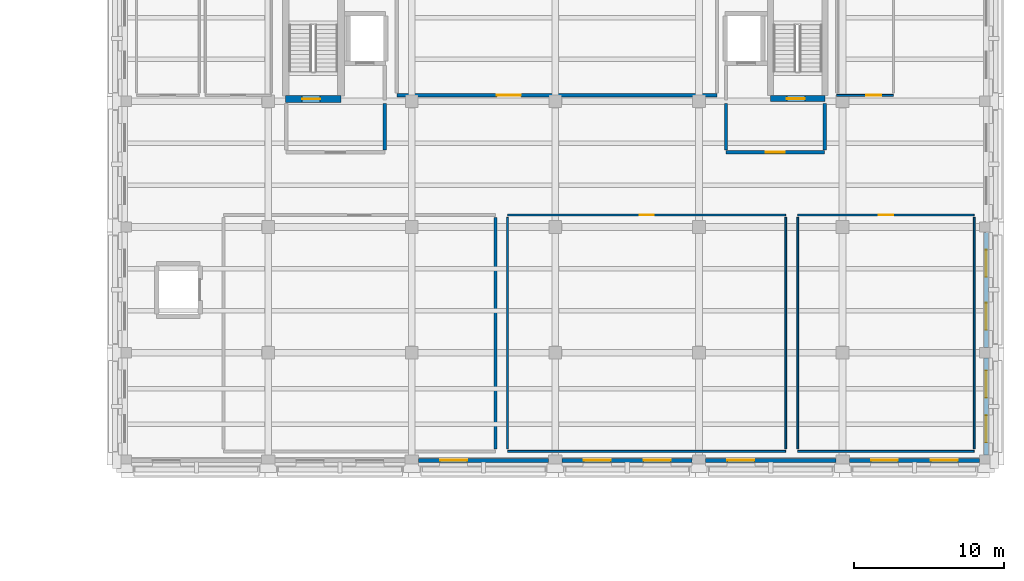
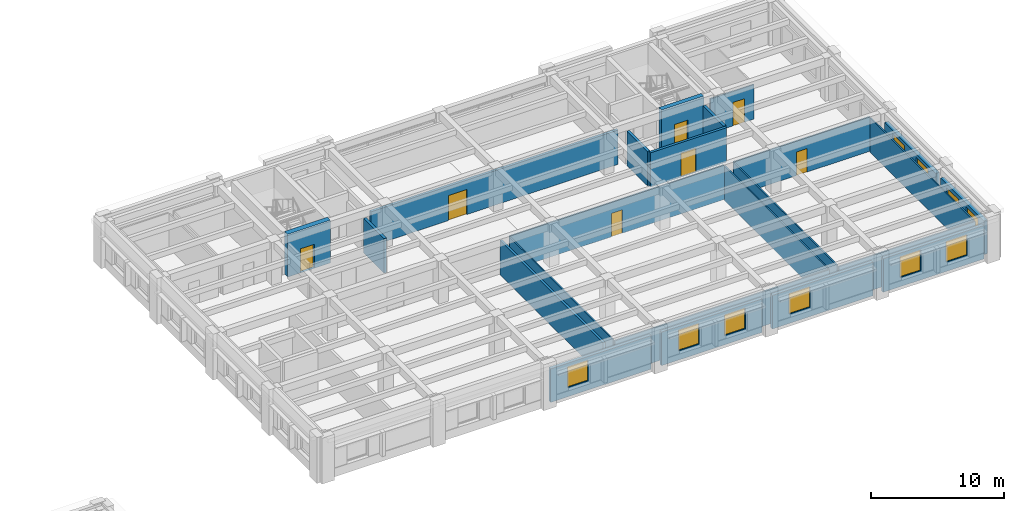
# One storey, part 9 of 17: 23 walls, 10 windows, 7 doors, 17 openings.
"""IFC4 building model written with IfcOpenShell, lengths in metres."""

from ifc_helpers import new_model, si_unit, direction, frame, frame_2d, origin, place, context, subcontext, project, spatial, rectangle, extrude, material, layer, layer_set, type_object, element, fill, save


model = new_model("IFC4")

# Units and contexts
model_context = context("Model", 3, precision=1e-05, world=origin(), true_north=direction((0.0, 1.0)))
body_context = subcontext(model_context, "Body", "Model", "MODEL_VIEW")
ifc_project = project(units=[si_unit("LENGTHUNIT", "METRE"), si_unit("AREAUNIT", "SQUARE_METRE"), si_unit("VOLUMEUNIT", "CUBIC_METRE"), si_unit("PLANEANGLEUNIT", "RADIAN"), si_unit("MASSUNIT", "GRAM", prefix="KILO")], contexts=[model_context])

# Site, building, storey
site_placement = place(None, origin())
site = spatial("IfcSite", under=ifc_project, at=site_placement, CompositionType="ELEMENT")
building_placement = place(site_placement, origin())
building = spatial("IfcBuilding", under=site, at=building_placement, Name="Bempovik Park Faculty of Sciences", CompositionType="ELEMENT")
storey_placement = place(building_placement, frame((0.0, 0.0, 22.5)))
storey = spatial("IfcBuildingStorey", under=building, at=storey_placement, Name="L05", CompositionType="ELEMENT", Elevation=22.5)

# Wall, opening, door
ifc_material_1 = material(Name="Concrete C40/50", Category="concrete")
ifc_layer_1 = layer(ifc_material_1, 0.449951171875)
ifc_layer_set_1 = layer_set([ifc_layer_1], Name="Concrete C40/50")
wall_type_1 = type_object("IfcWallType", Name="W-15 Wall 450mm", PredefinedType="SHEAR", material=ifc_layer_set_1)
wall_1_placement = place(storey_placement, frame((70.77490234375, 111.14990234375, 0.0), z_axis=(0.0, 0.0, 1.0), x_axis=(1.0, 0.0, 0.0)))
wall_1 = element("IfcWall", 1, at=wall_1_placement, inside=storey, type_object=wall_type_1, Name="ST-1 L05 Core Shear Wall South", PredefinedType="SHEAR", context=body_context, shape_type="SweptSolid", body=[
    extrude(rectangle(XDim=3.7001953125, YDim=0.449951171875, at=frame_2d((1.85009765625, 0.0))), origin(), (0.0, 0.0, 1.0), 3.919921875),
])
opening_1_placement = place(wall_1_placement, frame((1.10009765625, 0.0, 0.0)))
opening_1 = element("IfcOpeningElement", 2, at=opening_1_placement, cuts=wall_1, Name="Opening D-49", PredefinedType="OPENING", context=body_context, shape_type="SweptSolid", body=[
    extrude(rectangle(XDim=1.199951171875, YDim=2.199951171875, at=frame_2d((0.60009765625, 1.10009765625))), frame((0.0, 0.23486328125, 0.0), z_axis=(0.0, -1.0, 0.0), x_axis=(1.0, 0.0, 0.0)), (0.0, 0.0, 1.0), 0.469970703125),
])
ifc_material_2 = material(Name="Painted steel S355", Category="steel")
door_type_1 = type_object("IfcDoorType", Name="D-49 Door 1200x2200", OperationType="NOTDEFINED", PredefinedType="DOOR", material=ifc_material_2)
door_1_placement = place(opening_1_placement, origin())
door_1 = element("IfcDoor", 3, at=door_1_placement, inside=storey, type_object=door_type_1, Name="ST-1 L05 Protected Stair Smoke Door", OperationType="SINGLE_SWING_LEFT", OverallHeight=2.199951171875, OverallWidth=1.199951171875, PredefinedType="DOOR", context=body_context, shape_type="SweptSolid", body=[
    extrude(rectangle(XDim=1.199951171875, YDim=2.199951171875, at=frame_2d((0.60009765625, 1.10009765625))), frame((0.0, 0.02490234375, 0.0), z_axis=(0.0, -1.0, 0.0), x_axis=(1.0, 0.0, 0.0)), (0.0, 0.0, 1.0), 0.050048828125),
])
fill(opening_1, door_1)

# Wall
ifc_material_3 = material(Name="Gypsum acoustic stud assembly")
ifc_layer_2 = layer(ifc_material_3, 0.1201171875)
ifc_layer_set_2 = layer_set([ifc_layer_2], Name="Gypsum acoustic stud assembly")
wall_type_2 = type_object("IfcWallType", Name="W-17 Wall 120mm", PredefinedType="PARTITIONING", material=ifc_layer_set_2)
wall_2_placement = place(storey_placement, frame((85.60009765625, 87.60009765625, 0.0), z_axis=(0.0, 0.0, 1.0), x_axis=(1.0, 0.0, 0.0)))
element("IfcWall", 4, at=wall_2_placement, inside=storey, type_object=wall_type_2, Name="L05 Physics Academic Staff Offices Partition South", PredefinedType="PARTITIONING", context=body_context, shape_type="SweptSolid", body=[
    extrude(rectangle(XDim=18.599853515625, YDim=0.1201171875, at=frame_2d((9.2998046875, 0.0))), origin(), (0.0, 0.0, 1.0), 3.14990234375),
])

# Wall, opening, door
wall_3_placement = place(storey_placement, frame((85.60009765625, 103.39990234375, 0.0), z_axis=(0.0, 0.0, 1.0), x_axis=(1.0, 0.0, 0.0)))
wall_3 = element("IfcWall", 5, at=wall_3_placement, inside=storey, type_object=wall_type_2, Name="L05 Physics Academic Staff Offices Partition North", PredefinedType="PARTITIONING", context=body_context, shape_type="SweptSolid", body=[
    extrude(rectangle(XDim=18.599853515625, YDim=0.1201171875, at=frame_2d((9.2998046875, 0.0))), origin(), (0.0, 0.0, 1.0), 3.14990234375),
])
opening_2_placement = place(wall_3_placement, frame((8.824951171875, 0.0, 0.0)))
opening_2 = element("IfcOpeningElement", 6, at=opening_2_placement, cuts=wall_3, Name="Opening D-47", PredefinedType="OPENING", context=body_context, shape_type="SweptSolid", body=[
    extrude(rectangle(XDim=0.949951171875, YDim=2.14990234375, at=frame_2d((0.47509765625, 1.074951171875))), frame((0.0, 0.070068359375, 0.0), z_axis=(0.0, -1.0, 0.0), x_axis=(1.0, 0.0, 0.0)), (0.0, 0.0, 1.0), 0.14013671875),
])
ifc_material_4 = material(Name="West African hardwood finish", Category="wood")
door_type_2 = type_object("IfcDoorType", Name="D-47 Door 950x2150", OperationType="NOTDEFINED", PredefinedType="DOOR", material=ifc_material_4)
door_2_placement = place(opening_2_placement, origin())
door_2 = element("IfcDoor", 7, at=door_2_placement, inside=storey, type_object=door_type_2, Name="L05 Physics Academic Staff Offices Door", OperationType="SINGLE_SWING_LEFT", OverallHeight=2.14990234375, OverallWidth=0.949951171875, PredefinedType="DOOR", context=body_context, shape_type="SweptSolid", body=[
    extrude(rectangle(XDim=0.949951171875, YDim=2.14990234375, at=frame_2d((0.47509765625, 1.074951171875))), frame((0.0, 0.02490234375, 0.0), z_axis=(0.0, -1.0, 0.0), x_axis=(1.0, 0.0, 0.0)), (0.0, 0.0, 1.0), 0.050048828125),
])
fill(opening_2, door_2)

# Walls
for number, where, z_axis, x_axis, name in (
    (8, (85.60009765625, 87.760009765625, 0.0), (0.0, 0.0, 1.0), (0.0, 1.0, 0.0), "L05 Physics Academic Staff Offices Partition West"),
    (9, (104.199951171875, 87.760009765625, 0.0), (0.0, 0.0, 1.0), (0.0, 1.0, 0.0), "L05 Physics Academic Staff Offices Partition East"),
):
    element("IfcWall", number, at=place(storey_placement, frame(where, z_axis=z_axis, x_axis=x_axis)), inside=storey, type_object=wall_type_2, Name=name, PredefinedType="PARTITIONING", context=body_context, shape_type="SweptSolid", body=[
        extrude(rectangle(XDim=15.47998046875, YDim=0.1201171875, at=frame_2d((7.739990234375, 0.0))), origin(), (0.0, 0.0, 1.0), 3.14990234375),
    ])
wall_4_placement = place(storey_placement, frame((105.0, 87.60009765625, 0.0), z_axis=(0.0, 0.0, 1.0), x_axis=(1.0, 0.0, 0.0)))
element("IfcWall", 10, at=wall_4_placement, inside=storey, type_object=wall_type_2, Name="L05 Theoretical Physics Study Room Partition South", PredefinedType="PARTITIONING", context=body_context, shape_type="SweptSolid", body=[
    extrude(rectangle(XDim=11.800048828125, YDim=0.1201171875, at=frame_2d((5.89990234375, 0.0))), origin(), (0.0, 0.0, 1.0), 3.14990234375),
])

# Wall, opening, door
wall_5_placement = place(storey_placement, frame((105.0, 103.39990234375, 0.0), z_axis=(0.0, 0.0, 1.0), x_axis=(1.0, 0.0, 0.0)))
wall_5 = element("IfcWall", 11, at=wall_5_placement, inside=storey, type_object=wall_type_2, Name="L05 Theoretical Physics Study Room Partition North", PredefinedType="PARTITIONING", context=body_context, shape_type="SweptSolid", body=[
    extrude(rectangle(XDim=11.800048828125, YDim=0.1201171875, at=frame_2d((5.89990234375, 0.0))), origin(), (0.0, 0.0, 1.0), 3.14990234375),
])
opening_3_placement = place(wall_5_placement, frame((5.425048828125, 0.0, 0.0)))
opening_3 = element("IfcOpeningElement", 12, at=opening_3_placement, cuts=wall_5, Name="Opening D-47", PredefinedType="OPENING", context=body_context, shape_type="SweptSolid", body=[
    extrude(rectangle(XDim=0.949951171875, YDim=2.14990234375, at=frame_2d((0.47509765625, 1.074951171875))), frame((0.0, 0.070068359375, 0.0), z_axis=(0.0, -1.0, 0.0), x_axis=(1.0, 0.0, 0.0)), (0.0, 0.0, 1.0), 0.14013671875),
])
door_3_placement = place(opening_3_placement, origin())
door_3 = element("IfcDoor", 13, at=door_3_placement, inside=storey, type_object=door_type_2, Name="L05 Theoretical Physics Study Room Door", OperationType="SINGLE_SWING_RIGHT", OverallHeight=2.14990234375, OverallWidth=0.949951171875, PredefinedType="DOOR", context=body_context, shape_type="SweptSolid", body=[
    extrude(rectangle(XDim=0.949951171875, YDim=2.14990234375, at=frame_2d((0.47509765625, 1.074951171875))), frame((0.0, 0.02490234375, 0.0), z_axis=(0.0, -1.0, 0.0), x_axis=(1.0, 0.0, 0.0)), (0.0, 0.0, 1.0), 0.050048828125),
])
fill(opening_3, door_3)

# Walls
for number, where, z_axis, x_axis, name in (
    (14, (105.0, 87.760009765625, 0.0), (0.0, 0.0, 1.0), (0.0, 1.0, 0.0), "L05 Theoretical Physics Study Room Partition West"),
    (15, (116.800048828125, 87.760009765625, 0.0), (0.0, 0.0, 1.0), (0.0, 1.0, 0.0), "L05 Theoretical Physics Study Room Partition East"),
):
    element("IfcWall", number, at=place(storey_placement, frame(where, z_axis=z_axis, x_axis=x_axis)), inside=storey, type_object=wall_type_2, Name=name, PredefinedType="PARTITIONING", context=body_context, shape_type="SweptSolid", body=[
        extrude(rectangle(XDim=15.47998046875, YDim=0.1201171875, at=frame_2d((7.739990234375, 0.0))), origin(), (0.0, 0.0, 1.0), 3.14990234375),
    ])

# Wall, opening, door
wall_6_placement = place(storey_placement, frame((107.60009765625, 111.39990234375, 0.0), z_axis=(0.0, 0.0, 1.0), x_axis=(1.0, 0.0, 0.0)))
wall_6 = element("IfcWall", 16, at=wall_6_placement, inside=storey, type_object=wall_type_2, Name="L05 L05 Accessible WC Partition South", PredefinedType="PARTITIONING", context=body_context, shape_type="SweptSolid", body=[
    extrude(rectangle(XDim=3.7998046875, YDim=0.1201171875, at=frame_2d((1.89990234375, 0.0))), origin(), (0.0, 0.0, 1.0), 3.14990234375),
])
opening_4_placement = place(wall_6_placement, frame((1.969970703125, 0.0, 0.0)))
opening_4 = element("IfcOpeningElement", 17, at=opening_4_placement, cuts=wall_6, Name="Opening D-50", PredefinedType="OPENING", context=body_context, shape_type="SweptSolid", body=[
    extrude(rectangle(XDim=1.0, YDim=2.14990234375, at=frame_2d((0.5, 1.074951171875))), frame((0.0, 0.070068359375, 0.0), z_axis=(0.0, -1.0, 0.0), x_axis=(1.0, 0.0, 0.0)), (0.0, 0.0, 1.0), 0.14013671875),
])
door_type_3 = type_object("IfcDoorType", Name="D-50 Door 1000x2150", OperationType="NOTDEFINED", PredefinedType="DOOR", material=ifc_material_4)
door_4_placement = place(opening_4_placement, origin())
door_4 = element("IfcDoor", 18, at=door_4_placement, inside=storey, type_object=door_type_3, Name="L05 L05 Accessible WC Door", OperationType="SINGLE_SWING_RIGHT", OverallHeight=2.14990234375, OverallWidth=1.0, PredefinedType="DOOR", context=body_context, shape_type="SweptSolid", body=[
    extrude(rectangle(XDim=1.0, YDim=2.14990234375, at=frame_2d((0.5, 1.074951171875))), frame((0.0, 0.02490234375, 0.0), z_axis=(0.0, -1.0, 0.0), x_axis=(1.0, 0.0, 0.0)), (0.0, 0.0, 1.0), 0.050048828125),
])
fill(opening_4, door_4)

# Wall
ifc_material_5 = material(Name="Concrete C35/45", Category="concrete")
ifc_layer_3 = layer(ifc_material_5, 0.219970703125)
ifc_layer_set_3 = layer_set([ifc_layer_3], Name="Concrete C35/45")
wall_type_3 = type_object("IfcWallType", Name="W-38 Wall 220mm", PredefinedType="PARTITIONING", material=ifc_layer_set_3)
wall_7_placement = place(storey_placement, frame((77.39990234375, 107.760009765625, 0.0), z_axis=(0.0, 0.0, 1.0), x_axis=(0.0, 1.0, 0.0)))
element("IfcWall", 19, at=wall_7_placement, inside=storey, type_object=wall_type_3, Name="L05 Firefighting Lift Lobby West Partition East", PredefinedType="PARTITIONING", context=body_context, shape_type="SweptSolid", body=[
    extrude(rectangle(XDim=3.080078125, YDim=0.219970703125, at=frame_2d((1.5400390625, 0.0))), origin(), (0.0, 0.0, 1.0), 3.14990234375),
])

# Wall, opening, door
wall_8_placement = place(storey_placement, frame((100.199951171875, 107.60009765625, 0.0), z_axis=(0.0, 0.0, 1.0), x_axis=(1.0, 0.0, 0.0)))
wall_8 = element("IfcWall", 20, at=wall_8_placement, inside=storey, type_object=wall_type_3, Name="L05 Firefighting Lift Lobby East Partition South", PredefinedType="PARTITIONING", context=body_context, shape_type="SweptSolid", body=[
    extrude(rectangle(XDim=6.60009765625, YDim=0.219970703125, at=frame_2d((3.300048828125, 0.0))), origin(), (0.0, 0.0, 1.0), 3.14990234375),
])
opening_5_placement = place(wall_8_placement, frame((2.64990234375, 0.0, 0.0)))
opening_5 = element("IfcOpeningElement", 21, at=opening_5_placement, cuts=wall_8, Name="Opening D-38", PredefinedType="OPENING", context=body_context, shape_type="SweptSolid", body=[
    extrude(rectangle(XDim=1.300048828125, YDim=2.199951171875, at=frame_2d((0.64990234375, 1.10009765625))), frame((0.0, 0.1201171875, 0.0), z_axis=(0.0, -1.0, 0.0), x_axis=(1.0, 0.0, 0.0)), (0.0, 0.0, 1.0), 0.239990234375),
])
door_type_4 = type_object("IfcDoorType", Name="D-38 Door 1300x2200", OperationType="NOTDEFINED", PredefinedType="DOOR", material=ifc_material_2)
door_5_placement = place(opening_5_placement, origin())
door_5 = element("IfcDoor", 22, at=door_5_placement, inside=storey, type_object=door_type_4, Name="L05 Firefighting Lift Lobby East Door", OperationType="SINGLE_SWING_LEFT", OverallHeight=2.199951171875, OverallWidth=1.300048828125, PredefinedType="DOOR", context=body_context, shape_type="SweptSolid", body=[
    extrude(rectangle(XDim=1.300048828125, YDim=2.199951171875, at=frame_2d((0.64990234375, 1.10009765625))), frame((0.0, 0.02490234375, 0.0), z_axis=(0.0, -1.0, 0.0), x_axis=(1.0, 0.0, 0.0)), (0.0, 0.0, 1.0), 0.050048828125),
])
fill(opening_5, door_5)

# Walls
for number, where, z_axis, x_axis, name in (
    (23, (100.199951171875, 107.760009765625, 0.0), (0.0, 0.0, 1.0), (0.0, 1.0, 0.0), "L05 Firefighting Lift Lobby East Partition West"),
    (24, (106.800048828125, 107.760009765625, 0.0), (0.0, 0.0, 1.0), (0.0, 1.0, 0.0), "L05 Firefighting Lift Lobby East Partition East"),
):
    element("IfcWall", number, at=place(storey_placement, frame(where, z_axis=z_axis, x_axis=x_axis)), inside=storey, type_object=wall_type_3, Name=name, PredefinedType="PARTITIONING", context=body_context, shape_type="SweptSolid", body=[
        extrude(rectangle(XDim=3.080078125, YDim=0.219970703125, at=frame_2d((1.5400390625, 0.0))), origin(), (0.0, 0.0, 1.0), 3.14990234375),
    ])

# Wall, opening, door
wall_9_placement = place(storey_placement, frame((78.199951171875, 111.39990234375, 0.0), z_axis=(0.0, 0.0, 1.0), x_axis=(1.0, 0.0, 0.0)))
wall_9 = element("IfcWall", 25, at=wall_9_placement, inside=storey, type_object=wall_type_3, Name="L05 Laboratory Fume-Extract Plant Room Partition South", PredefinedType="PARTITIONING", context=body_context, shape_type="SweptSolid", body=[
    extrude(rectangle(XDim=21.400146484375, YDim=0.219970703125, at=frame_2d((10.7001953125, 0.0))), origin(), (0.0, 0.0, 1.0), 3.14990234375),
])
opening_6_placement = place(wall_9_placement, frame((6.68994140625, 0.0, 0.0)))
opening_6 = element("IfcOpeningElement", 26, at=opening_6_placement, cuts=wall_9, Name="Opening D-37", PredefinedType="OPENING", context=body_context, shape_type="SweptSolid", body=[
    extrude(rectangle(XDim=1.60009765625, YDim=2.300048828125, at=frame_2d((0.800048828125, 1.14990234375))), frame((0.0, 0.1201171875, 0.0), z_axis=(0.0, -1.0, 0.0), x_axis=(1.0, 0.0, 0.0)), (0.0, 0.0, 1.0), 0.239990234375),
])
door_type_5 = type_object("IfcDoorType", Name="D-37 Door 1600x2300", OperationType="NOTDEFINED", PredefinedType="DOOR", material=ifc_material_2)
door_6_placement = place(opening_6_placement, origin())
door_6 = element("IfcDoor", 27, at=door_6_placement, inside=storey, type_object=door_type_5, Name="L05 Laboratory Fume-Extract Plant Room Door", OperationType="SINGLE_SWING_LEFT", OverallHeight=2.300048828125, OverallWidth=1.60009765625, PredefinedType="DOOR", context=body_context, shape_type="SweptSolid", body=[
    extrude(rectangle(XDim=1.60009765625, YDim=2.300048828125, at=frame_2d((0.800048828125, 1.14990234375))), frame((0.0, 0.02490234375, 0.0), z_axis=(0.0, -1.0, 0.0), x_axis=(1.0, 0.0, 0.0)), (0.0, 0.0, 1.0), 0.050048828125),
])
fill(opening_6, door_6)

ifc_layer_4 = layer(ifc_material_1, 0.39990234375)
ifc_layer_set_4 = layer_set([ifc_layer_4], Name="Concrete C40/50")
wall_type_4 = type_object("IfcWallType", Name="W-47 Wall 400mm", PredefinedType="SHEAR", material=ifc_layer_set_4)
wall_10_placement = place(storey_placement, frame((103.175048828125, 111.175048828125, 0.0), z_axis=(0.0, 0.0, 1.0), x_axis=(1.0, 0.0, 0.0)))
wall_10 = element("IfcWall", 28, at=wall_10_placement, inside=storey, type_object=wall_type_4, Name="ST-2 L05 Core Shear Wall South", PredefinedType="SHEAR", context=body_context, shape_type="SweptSolid", body=[
    extrude(rectangle(XDim=3.64990234375, YDim=0.39990234375, at=frame_2d((1.824951171875, 0.0))), origin(), (0.0, 0.0, 1.0), 3.919921875),
])
opening_7_placement = place(wall_10_placement, frame((1.10009765625, 0.0, 0.0)))
opening_7 = element("IfcOpeningElement", 29, at=opening_7_placement, cuts=wall_10, Name="Opening D-49", PredefinedType="OPENING", context=body_context, shape_type="SweptSolid", body=[
    extrude(rectangle(XDim=1.199951171875, YDim=2.199951171875, at=frame_2d((0.60009765625, 1.10009765625))), frame((0.0, 0.2099609375, 0.0), z_axis=(0.0, -1.0, 0.0), x_axis=(1.0, 0.0, 0.0)), (0.0, 0.0, 1.0), 0.419921875),
])
door_7_placement = place(opening_7_placement, origin())
door_7 = element("IfcDoor", 30, at=door_7_placement, inside=storey, type_object=door_type_1, Name="ST-2 L05 Protected Stair Smoke Door", OperationType="SINGLE_SWING_LEFT", OverallHeight=2.199951171875, OverallWidth=1.199951171875, PredefinedType="DOOR", context=body_context, shape_type="SweptSolid", body=[
    extrude(rectangle(XDim=1.199951171875, YDim=2.199951171875, at=frame_2d((0.60009765625, 1.10009765625))), frame((0.0, 0.02490234375, 0.0), z_axis=(0.0, -1.0, 0.0), x_axis=(1.0, 0.0, 0.0)), (0.0, 0.0, 1.0), 0.050048828125),
])
fill(opening_7, door_7)

# Wall, opening, window
ifc_material_6 = material(Name="Precast concrete C40/50", Category="concrete")
ifc_layer_5 = layer(ifc_material_6, 0.260009765625)
ifc_layer_set_5 = layer_set([ifc_layer_5], Name="Precast concrete C40/50")
wall_type_5 = type_object("IfcWallType", Name="W-54 Wall 260mm", PredefinedType="SOLIDWALL", material=ifc_layer_set_5)
wall_11_placement = place(storey_placement, frame((79.652099609375, 87.0, 0.0), z_axis=(0.0, 0.0, 1.0), x_axis=(1.0, 0.0, 0.0)))
wall_11 = element("IfcWall", 31, at=wall_11_placement, inside=storey, type_object=wall_type_5, Name="L05 Classical Precast Facade Wall EW-L05-10299", PredefinedType="SOLIDWALL", context=body_context, shape_type="SweptSolid", body=[
    extrude(rectangle(XDim=8.69580078125, YDim=0.260009765625, at=frame_2d((4.347900390625, 0.0))), origin(), (0.0, 0.0, 1.0), 3.080078125),
])
opening_8_placement = place(wall_11_placement, frame((1.447998046875, 0.0, 0.85009765625)))
opening_8 = element("IfcOpeningElement", 32, at=opening_8_placement, cuts=wall_11, Name="Opening WN-81", PredefinedType="OPENING", context=body_context, shape_type="SweptSolid", body=[
    extrude(rectangle(XDim=1.800048828125, YDim=1.89990234375, at=frame_2d((0.89990234375, 0.949951171875))), frame((0.0, 0.14013671875, 0.0), z_axis=(0.0, -1.0, 0.0), x_axis=(1.0, 0.0, 0.0)), (0.0, 0.0, 1.0), 0.280029296875),
])
ifc_material_7 = material(Name="Tempered laminated low-E glass", Category="glass")
window_type = type_object("IfcWindowType", Name="WN-81 Window 1800x1900", PartitioningType="SINGLE_PANEL", PredefinedType="WINDOW", material=ifc_material_7)
window_1_placement = place(opening_8_placement, origin())
window_1 = element("IfcWindow", 33, at=window_1_placement, inside=storey, type_object=window_type, Name="L05 Window EW-L05-10299-1", OverallHeight=1.89990234375, OverallWidth=1.800048828125, PartitioningType="SINGLE_PANEL", PredefinedType="WINDOW", context=body_context, shape_type="SweptSolid", body=[
    extrude(rectangle(XDim=1.800048828125, YDim=1.89990234375, at=frame_2d((0.89990234375, 0.949951171875))), frame((0.0, 0.030029296875, 0.0), z_axis=(0.0, -1.0, 0.0), x_axis=(1.0, 0.0, 0.0)), (0.0, 0.0, 1.0), 0.06005859375),
])
fill(opening_8, window_1)

# Wall, openings, windows
wall_12_placement = place(storey_placement, frame((89.251953125, 87.0, 0.0), z_axis=(0.0, 0.0, 1.0), x_axis=(1.0, 0.0, 0.0)))
wall_12 = element("IfcWall", 34, at=wall_12_placement, inside=storey, type_object=wall_type_5, Name="L05 Classical Precast Facade Wall EW-L05-10310", PredefinedType="SOLIDWALL", context=body_context, shape_type="SweptSolid", body=[
    extrude(rectangle(XDim=8.696044921875, YDim=0.260009765625, at=frame_2d((4.34814453125, 0.0))), origin(), (0.0, 0.0, 1.0), 3.080078125),
])
opening_9_placement = place(wall_12_placement, frame((1.447998046875, 0.0, 0.85009765625)))
opening_9 = element("IfcOpeningElement", 35, at=opening_9_placement, cuts=wall_12, Name="Opening WN-81", PredefinedType="OPENING", context=body_context, shape_type="SweptSolid", body=[
    extrude(rectangle(XDim=1.800048828125, YDim=1.89990234375, at=frame_2d((0.89990234375, 0.949951171875))), frame((0.0, 0.14013671875, 0.0), z_axis=(0.0, -1.0, 0.0), x_axis=(1.0, 0.0, 0.0)), (0.0, 0.0, 1.0), 0.280029296875),
])
opening_10_placement = place(wall_12_placement, frame((5.447998046875, 0.0, 0.85009765625)))
opening_10 = element("IfcOpeningElement", 36, at=opening_10_placement, cuts=wall_12, Name="Opening WN-81", PredefinedType="OPENING", context=body_context, shape_type="SweptSolid", body=[
    extrude(rectangle(XDim=1.800048828125, YDim=1.89990234375, at=frame_2d((0.89990234375, 0.949951171875))), frame((0.0, 0.14013671875, 0.0), z_axis=(0.0, -1.0, 0.0), x_axis=(1.0, 0.0, 0.0)), (0.0, 0.0, 1.0), 0.280029296875),
])
window_2_placement = place(opening_9_placement, origin())
window_2 = element("IfcWindow", 37, at=window_2_placement, inside=storey, type_object=window_type, Name="L05 Window EW-L05-10310-1", OverallHeight=1.89990234375, OverallWidth=1.800048828125, PartitioningType="SINGLE_PANEL", PredefinedType="WINDOW", context=body_context, shape_type="SweptSolid", body=[
    extrude(rectangle(XDim=1.800048828125, YDim=1.89990234375, at=frame_2d((0.89990234375, 0.949951171875))), frame((0.0, 0.030029296875, 0.0), z_axis=(0.0, -1.0, 0.0), x_axis=(1.0, 0.0, 0.0)), (0.0, 0.0, 1.0), 0.06005859375),
])
fill(opening_9, window_2)
window_3_placement = place(opening_10_placement, origin())
window_3 = element("IfcWindow", 38, at=window_3_placement, inside=storey, type_object=window_type, Name="L05 Window EW-L05-10310-2", OverallHeight=1.89990234375, OverallWidth=1.800048828125, PartitioningType="SINGLE_PANEL", PredefinedType="WINDOW", context=body_context, shape_type="SweptSolid", body=[
    extrude(rectangle(XDim=1.800048828125, YDim=1.89990234375, at=frame_2d((0.89990234375, 0.949951171875))), frame((0.0, 0.030029296875, 0.0), z_axis=(0.0, -1.0, 0.0), x_axis=(1.0, 0.0, 0.0)), (0.0, 0.0, 1.0), 0.06005859375),
])
fill(opening_10, window_3)

# Wall, opening, window
wall_13_placement = place(storey_placement, frame((98.85205078125, 87.0, 0.0), z_axis=(0.0, 0.0, 1.0), x_axis=(1.0, 0.0, 0.0)))
wall_13 = element("IfcWall", 39, at=wall_13_placement, inside=storey, type_object=wall_type_5, Name="L05 Classical Precast Facade Wall EW-L05-10323", PredefinedType="SOLIDWALL", context=body_context, shape_type="SweptSolid", body=[
    extrude(rectangle(XDim=8.696044921875, YDim=0.260009765625, at=frame_2d((4.34814453125, 0.0))), origin(), (0.0, 0.0, 1.0), 3.080078125),
])
opening_11_placement = place(wall_13_placement, frame((1.447998046875, 0.0, 0.85009765625)))
opening_11 = element("IfcOpeningElement", 40, at=opening_11_placement, cuts=wall_13, Name="Opening WN-81", PredefinedType="OPENING", context=body_context, shape_type="SweptSolid", body=[
    extrude(rectangle(XDim=1.800048828125, YDim=1.89990234375, at=frame_2d((0.89990234375, 0.949951171875))), frame((0.0, 0.14013671875, 0.0), z_axis=(0.0, -1.0, 0.0), x_axis=(1.0, 0.0, 0.0)), (0.0, 0.0, 1.0), 0.280029296875),
])
window_4_placement = place(opening_11_placement, origin())
window_4 = element("IfcWindow", 41, at=window_4_placement, inside=storey, type_object=window_type, Name="L05 Window EW-L05-10323-1", OverallHeight=1.89990234375, OverallWidth=1.800048828125, PartitioningType="SINGLE_PANEL", PredefinedType="WINDOW", context=body_context, shape_type="SweptSolid", body=[
    extrude(rectangle(XDim=1.800048828125, YDim=1.89990234375, at=frame_2d((0.89990234375, 0.949951171875))), frame((0.0, 0.030029296875, 0.0), z_axis=(0.0, -1.0, 0.0), x_axis=(1.0, 0.0, 0.0)), (0.0, 0.0, 1.0), 0.06005859375),
])
fill(opening_11, window_4)

# Wall, openings, windows
wall_14_placement = place(storey_placement, frame((108.451904296875, 87.0, 0.0), z_axis=(0.0, 0.0, 1.0), x_axis=(1.0, 0.0, 0.0)))
wall_14 = element("IfcWall", 42, at=wall_14_placement, inside=storey, type_object=wall_type_5, Name="L05 Classical Precast Facade Wall EW-L05-10334", PredefinedType="SOLIDWALL", context=body_context, shape_type="SweptSolid", body=[
    extrude(rectangle(XDim=8.696044921875, YDim=0.260009765625, at=frame_2d((4.34814453125, 0.0))), origin(), (0.0, 0.0, 1.0), 3.080078125),
])
opening_12_placement = place(wall_14_placement, frame((1.447998046875, 0.0, 0.85009765625)))
opening_12 = element("IfcOpeningElement", 43, at=opening_12_placement, cuts=wall_14, Name="Opening WN-81", PredefinedType="OPENING", context=body_context, shape_type="SweptSolid", body=[
    extrude(rectangle(XDim=1.800048828125, YDim=1.89990234375, at=frame_2d((0.89990234375, 0.949951171875))), frame((0.0, 0.14013671875, 0.0), z_axis=(0.0, -1.0, 0.0), x_axis=(1.0, 0.0, 0.0)), (0.0, 0.0, 1.0), 0.280029296875),
])
opening_13_placement = place(wall_14_placement, frame((5.447998046875, 0.0, 0.85009765625)))
opening_13 = element("IfcOpeningElement", 44, at=opening_13_placement, cuts=wall_14, Name="Opening WN-81", PredefinedType="OPENING", context=body_context, shape_type="SweptSolid", body=[
    extrude(rectangle(XDim=1.800048828125, YDim=1.89990234375, at=frame_2d((0.89990234375, 0.949951171875))), frame((0.0, 0.14013671875, 0.0), z_axis=(0.0, -1.0, 0.0), x_axis=(1.0, 0.0, 0.0)), (0.0, 0.0, 1.0), 0.280029296875),
])
window_5_placement = place(opening_12_placement, origin())
window_5 = element("IfcWindow", 45, at=window_5_placement, inside=storey, type_object=window_type, Name="L05 Window EW-L05-10334-1", OverallHeight=1.89990234375, OverallWidth=1.800048828125, PartitioningType="SINGLE_PANEL", PredefinedType="WINDOW", context=body_context, shape_type="SweptSolid", body=[
    extrude(rectangle(XDim=1.800048828125, YDim=1.89990234375, at=frame_2d((0.89990234375, 0.949951171875))), frame((0.0, 0.030029296875, 0.0), z_axis=(0.0, -1.0, 0.0), x_axis=(1.0, 0.0, 0.0)), (0.0, 0.0, 1.0), 0.06005859375),
])
fill(opening_12, window_5)
window_6_placement = place(opening_13_placement, origin())
window_6 = element("IfcWindow", 46, at=window_6_placement, inside=storey, type_object=window_type, Name="L05 Window EW-L05-10334-2", OverallHeight=1.89990234375, OverallWidth=1.800048828125, PartitioningType="SINGLE_PANEL", PredefinedType="WINDOW", context=body_context, shape_type="SweptSolid", body=[
    extrude(rectangle(XDim=1.800048828125, YDim=1.89990234375, at=frame_2d((0.89990234375, 0.949951171875))), frame((0.0, 0.030029296875, 0.0), z_axis=(0.0, -1.0, 0.0), x_axis=(1.0, 0.0, 0.0)), (0.0, 0.0, 1.0), 0.06005859375),
])
fill(opening_13, window_6)

ifc_layer_6 = layer(ifc_material_6, 0.320068359375)
ifc_layer_set_6 = layer_set([ifc_layer_6], Name="Precast concrete C40/50")
wall_type_6 = type_object("IfcWallType", Name="W-56 Wall 320mm", PredefinedType="SOLIDWALL", material=ifc_layer_set_6)
wall_15_placement = place(storey_placement, frame((117.60009765625, 87.35205078125, 0.0), z_axis=(0.0, 0.0, 1.0), x_axis=(0.0, 1.0, 0.0)))
wall_15 = element("IfcWall", 47, at=wall_15_placement, inside=storey, type_object=wall_type_6, Name="L05 Classical Precast Facade Wall EW-L05-10221", PredefinedType="SOLIDWALL", context=body_context, shape_type="SweptSolid", body=[
    extrude(rectangle(XDim=6.495849609375, YDim=0.320068359375, at=frame_2d((3.248046875, 0.0))), origin(), (0.0, 0.0, 1.0), 3.080078125),
])
opening_14_placement = place(wall_15_placement, frame((0.85400390625, 0.0, 0.85009765625)))
opening_14 = element("IfcOpeningElement", 48, at=opening_14_placement, cuts=wall_15, Name="Opening WN-81", PredefinedType="OPENING", context=body_context, shape_type="SweptSolid", body=[
    extrude(rectangle(XDim=1.800048828125, YDim=1.89990234375, at=frame_2d((0.89990234375, 0.949951171875))), frame((0.0, 0.169921875, 0.0), z_axis=(0.0, -1.0, 0.0), x_axis=(1.0, 0.0, 0.0)), (0.0, 0.0, 1.0), 0.340087890625),
])
opening_15_placement = place(wall_15_placement, frame((3.842041015625, 0.0, 0.85009765625)))
opening_15 = element("IfcOpeningElement", 49, at=opening_15_placement, cuts=wall_15, Name="Opening WN-81", PredefinedType="OPENING", context=body_context, shape_type="SweptSolid", body=[
    extrude(rectangle(XDim=1.800048828125, YDim=1.89990234375, at=frame_2d((0.89990234375, 0.949951171875))), frame((0.0, 0.169921875, 0.0), z_axis=(0.0, -1.0, 0.0), x_axis=(1.0, 0.0, 0.0)), (0.0, 0.0, 1.0), 0.340087890625),
])
window_7_placement = place(opening_14_placement, origin())
window_7 = element("IfcWindow", 50, at=window_7_placement, inside=storey, type_object=window_type, Name="L05 Window EW-L05-10221-1", OverallHeight=1.89990234375, OverallWidth=1.800048828125, PartitioningType="SINGLE_PANEL", PredefinedType="WINDOW", context=body_context, shape_type="SweptSolid", body=[
    extrude(rectangle(XDim=1.800048828125, YDim=1.89990234375, at=frame_2d((0.89990234375, 0.949951171875))), frame((0.0, 0.030029296875, 0.0), z_axis=(0.0, -1.0, 0.0), x_axis=(1.0, 0.0, 0.0)), (0.0, 0.0, 1.0), 0.06005859375),
])
fill(opening_14, window_7)
window_8_placement = place(opening_15_placement, origin())
window_8 = element("IfcWindow", 51, at=window_8_placement, inside=storey, type_object=window_type, Name="L05 Window EW-L05-10221-2", OverallHeight=1.89990234375, OverallWidth=1.800048828125, PartitioningType="SINGLE_PANEL", PredefinedType="WINDOW", context=body_context, shape_type="SweptSolid", body=[
    extrude(rectangle(XDim=1.800048828125, YDim=1.89990234375, at=frame_2d((0.89990234375, 0.949951171875))), frame((0.0, 0.030029296875, 0.0), z_axis=(0.0, -1.0, 0.0), x_axis=(1.0, 0.0, 0.0)), (0.0, 0.0, 1.0), 0.06005859375),
])
fill(opening_15, window_8)

wall_16_placement = place(storey_placement, frame((117.60009765625, 94.552001953125, 0.0), z_axis=(0.0, 0.0, 1.0), x_axis=(0.0, 1.0, 0.0)))
wall_16 = element("IfcWall", 52, at=wall_16_placement, inside=storey, type_object=wall_type_6, Name="L05 Classical Precast Facade Wall EW-L05-10235", PredefinedType="SOLIDWALL", context=body_context, shape_type="SweptSolid", body=[
    extrude(rectangle(XDim=7.696044921875, YDim=0.320068359375, at=frame_2d((3.84814453125, 0.0))), origin(), (0.0, 0.0, 1.0), 3.080078125),
])
opening_16_placement = place(wall_16_placement, frame((1.177978515625, 0.0, 0.85009765625)))
opening_16 = element("IfcOpeningElement", 53, at=opening_16_placement, cuts=wall_16, Name="Opening WN-81", PredefinedType="OPENING", context=body_context, shape_type="SweptSolid", body=[
    extrude(rectangle(XDim=1.800048828125, YDim=1.89990234375, at=frame_2d((0.89990234375, 0.949951171875))), frame((0.0, 0.169921875, 0.0), z_axis=(0.0, -1.0, 0.0), x_axis=(1.0, 0.0, 0.0)), (0.0, 0.0, 1.0), 0.340087890625),
])
opening_17_placement = place(wall_16_placement, frame((4.718017578125, 0.0, 0.85009765625)))
opening_17 = element("IfcOpeningElement", 54, at=opening_17_placement, cuts=wall_16, Name="Opening WN-81", PredefinedType="OPENING", context=body_context, shape_type="SweptSolid", body=[
    extrude(rectangle(XDim=1.800048828125, YDim=1.89990234375, at=frame_2d((0.89990234375, 0.949951171875))), frame((0.0, 0.169921875, 0.0), z_axis=(0.0, -1.0, 0.0), x_axis=(1.0, 0.0, 0.0)), (0.0, 0.0, 1.0), 0.340087890625),
])
window_9_placement = place(opening_16_placement, origin())
window_9 = element("IfcWindow", 55, at=window_9_placement, inside=storey, type_object=window_type, Name="L05 Window EW-L05-10235-1", OverallHeight=1.89990234375, OverallWidth=1.800048828125, PartitioningType="SINGLE_PANEL", PredefinedType="WINDOW", context=body_context, shape_type="SweptSolid", body=[
    extrude(rectangle(XDim=1.800048828125, YDim=1.89990234375, at=frame_2d((0.89990234375, 0.949951171875))), frame((0.0, 0.030029296875, 0.0), z_axis=(0.0, -1.0, 0.0), x_axis=(1.0, 0.0, 0.0)), (0.0, 0.0, 1.0), 0.06005859375),
])
fill(opening_16, window_9)
window_10_placement = place(opening_17_placement, origin())
window_10 = element("IfcWindow", 56, at=window_10_placement, inside=storey, type_object=window_type, Name="L05 Window EW-L05-10235-2", OverallHeight=1.89990234375, OverallWidth=1.800048828125, PartitioningType="SINGLE_PANEL", PredefinedType="WINDOW", context=body_context, shape_type="SweptSolid", body=[
    extrude(rectangle(XDim=1.800048828125, YDim=1.89990234375, at=frame_2d((0.89990234375, 0.949951171875))), frame((0.0, 0.030029296875, 0.0), z_axis=(0.0, -1.0, 0.0), x_axis=(1.0, 0.0, 0.0)), (0.0, 0.0, 1.0), 0.06005859375),
])
fill(opening_17, window_10)

# Wall
ifc_layer_7 = layer(ifc_material_5, 0.199951171875)
ifc_layer_set_7 = layer_set([ifc_layer_7], Name="Concrete C35/45")
wall_type_7 = type_object("IfcWallType", Name="W-59 Wall 200mm", PredefinedType="PARTITIONING", material=ifc_layer_set_7)
wall_17_placement = place(storey_placement, frame((84.800048828125, 87.760009765625, 0.0), z_axis=(0.0, 0.0, 1.0), x_axis=(0.0, 1.0, 0.0)))
element("IfcWall", 57, at=wall_17_placement, inside=storey, type_object=wall_type_7, Name="L05 Solid-State Physics Research Laboratory Partition East", PredefinedType="PARTITIONING", context=body_context, shape_type="SweptSolid", body=[
    extrude(rectangle(XDim=15.47998046875, YDim=0.199951171875, at=frame_2d((7.739990234375, 0.0))), origin(), (0.0, 0.0, 1.0), 3.14990234375),
])

save(model, "model.ifc")
